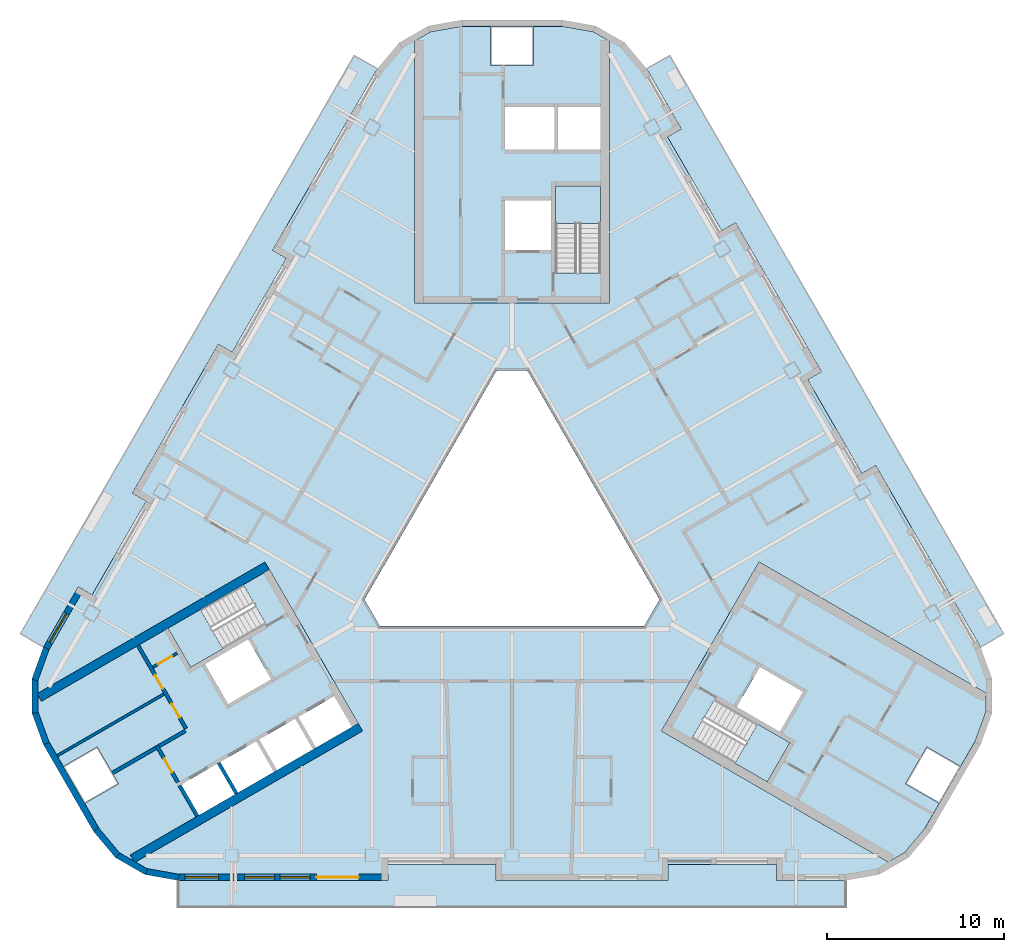
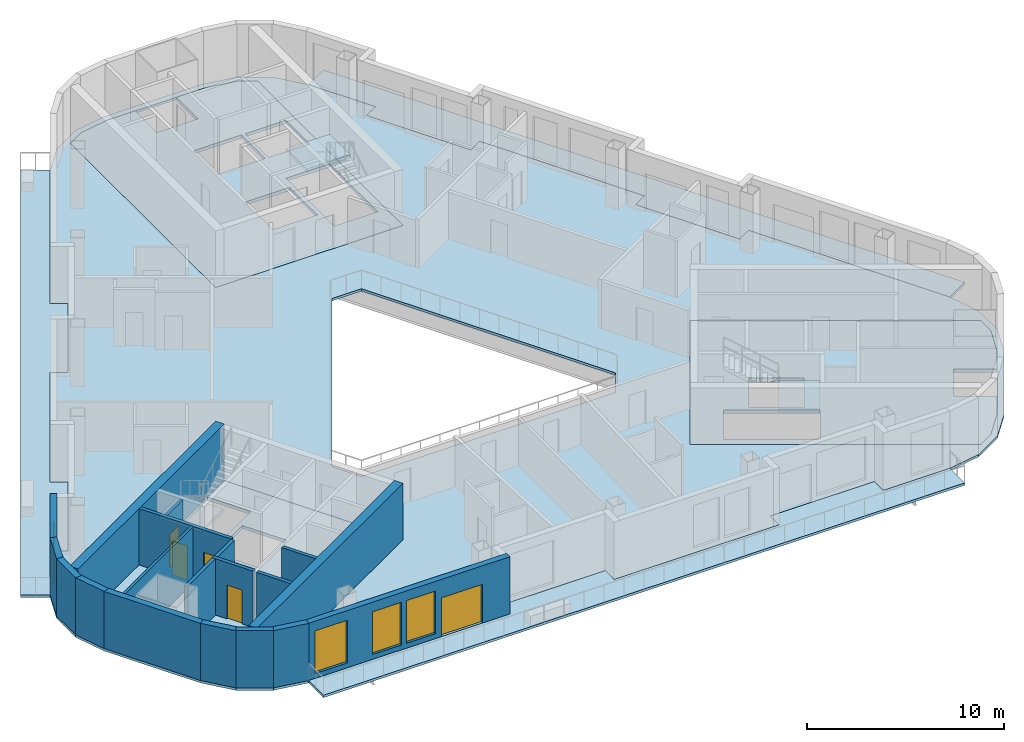
# One storey, part 2 of 13: 19 walls, 10 slabs, 5 doors, 4 windows, 9 openings, 3 elements without a shape of their own.
"""IFC4 building model written with IfcOpenShell, lengths in metres."""

from ifc_helpers import new_model, si_unit, direction, frame, frame_2d, origin, place, context, subcontext, project, spatial, polyline, rectangle, outline, extrude, material, layer, layer_set, type_object, element, fill, aggregate, save


model = new_model("IFC4")

# Units and contexts
model_context = context("Model", 3, precision=1e-05, world=origin(), true_north=direction((0.0, 1.0)))
body_context = subcontext(model_context, "Body", "Model", "MODEL_VIEW")
ifc_project = project(units=[si_unit("LENGTHUNIT", "METRE"), si_unit("AREAUNIT", "SQUARE_METRE"), si_unit("VOLUMEUNIT", "CUBIC_METRE"), si_unit("PLANEANGLEUNIT", "RADIAN"), si_unit("MASSUNIT", "GRAM", prefix="KILO")], contexts=[model_context])

# Site, building, storey
site_placement = place(None, origin())
site = spatial("IfcSite", under=ifc_project, at=site_placement, CompositionType="ELEMENT")
building_placement = place(site_placement, origin())
building = spatial("IfcBuilding", under=site, at=building_placement, Name="Apuvela Tower Hotel", CompositionType="ELEMENT")
storey_placement = place(building_placement, frame((0.0, 0.0, 187.300048828125)))
storey = spatial("IfcBuildingStorey", under=building, at=storey_placement, Name="L45", CompositionType="ELEMENT", Elevation=187.300048828125)

# Slabs
ifc_material_1 = material(Name="Concrete C50/60", Category="concrete")
ifc_layer_1 = layer(ifc_material_1, 0.199951171875)
ifc_layer_set_1 = layer_set([ifc_layer_1], Name="COR-FLOOR-200")
slab_type_1 = type_object("IfcSlabType", Name="COR-FLOOR-200", PredefinedType="FLOOR", material=ifc_layer_set_1)
slab_1_placement = place(storey_placement, frame((0.0, 0.0, -0.199951171875)))
element("IfcSlab", 1, at=slab_1_placement, inside=storey, type_object=slab_type_1, Name="Core floor N", PredefinedType="FLOOR", context=body_context, shape_type="SweptSolid", body=[
    extrude(outline(polyline([(5.5, 27.668212890625), (4.588623046875, 28.1943359375), (2.85498046875, 28.5), (1.199951171875, 28.5), (1.199951171875, 26.300048828125), (-1.199951171875, 26.300048828125), (-1.199951171875, 28.5), (-2.85498046875, 28.5), (-4.588623046875, 28.1943359375), (-5.5, 27.668212890625), (-5.5, 12.89990234375), (5.5, 12.89990234375), (5.5, 27.668212890625)]), holes=[polyline([(5.0, 14.60595703125), (2.449951171875, 14.60595703125), (2.449951171875, 19.5), (5.0, 19.5), (5.0, 14.60595703125)]), polyline([(2.199951171875, 15.89990234375), (-0.39990234375, 15.89990234375), (-0.39990234375, 18.699951171875), (2.199951171875, 18.699951171875), (2.199951171875, 15.89990234375)]), polyline([(5.0, 21.550048828125), (2.60009765625, 21.550048828125), (2.60009765625, 23.949951171875), (5.0, 23.949951171875), (5.0, 21.550048828125)]), polyline([(2.39990234375, 21.550048828125), (-0.39990234375, 21.550048828125), (-0.39990234375, 23.949951171875), (2.39990234375, 23.949951171875), (2.39990234375, 21.550048828125)])]), origin(), (0.0, 0.0, 1.0), 0.199951171875),
])
slab_2_placement = place(storey_placement, frame((0.0, 0.0, -0.199951171875)))
element("IfcSlab", 2, at=slab_2_placement, inside=storey, type_object=slab_type_1, Name="Core floor SW", PredefinedType="FLOOR", context=body_context, shape_type="SweptSolid", body=[
    extrude(outline(polyline([(-26.711181640625, -9.07080078125), (-26.711181640625, -10.123291015625), (-26.109375, -11.77734375), (-25.28173828125, -13.210693359375), (-23.37646484375, -12.11083984375), (-22.176513671875, -14.189208984375), (-24.081787109375, -15.289306640625), (-23.254150390625, -16.72265625), (-22.122802734375, -18.071044921875), (-21.211181640625, -18.59716796875), (-8.421630859375, -11.213134765625), (-13.921630859375, -1.68701171875), (-26.711181640625, -9.07080078125)]), holes=[polyline([(-10.01806640625, -9.248046875), (-9.01806640625, -10.97998046875), (-11.044677734375, -12.150146484375), (-12.044677734375, -10.418212890625), (-10.01806640625, -9.248046875)]), polyline([(-14.244384765625, -11.68798828125), (-12.2177734375, -10.51806640625), (-11.2177734375, -12.25), (-13.244384765625, -13.420166015625), (-14.244384765625, -11.68798828125)]), polyline([(-19.387451171875, -5.419921875), (-15.149169921875, -2.972900390625), (-13.874267578125, -5.18115234375), (-18.112548828125, -7.628173828125), (-19.387451171875, -5.419921875)]), polyline([(-14.869873046875, -6.044677734375), (-13.56982421875, -8.29638671875), (-15.99462890625, -9.6962890625), (-17.294677734375, -7.444580078125), (-14.869873046875, -6.044677734375)]), polyline([(-16.444091796875, -12.9580078125), (-14.41748046875, -11.7880859375), (-13.41748046875, -13.52001953125), (-15.444091796875, -14.690185546875), (-16.444091796875, -12.9580078125)]), polyline([(-18.643798828125, -14.22802734375), (-16.6171875, -13.05810546875), (-15.6171875, -14.7900390625), (-17.643798828125, -15.960205078125), (-18.643798828125, -14.22802734375)])]), origin(), (0.0, 0.0, 1.0), 0.199951171875),
])
slab_3_placement = place(storey_placement, frame((0.0, 0.0, -0.199951171875)))
element("IfcSlab", 3, at=slab_3_placement, inside=storey, type_object=slab_type_1, Name="Core floor SE", PredefinedType="FLOOR", context=body_context, shape_type="SweptSolid", body=[
    extrude(outline(polyline([(21.211181640625, -18.59716796875), (22.122802734375, -18.071044921875), (23.254150390625, -16.72265625), (24.081787109375, -15.289306640625), (22.176513671875, -14.189208984375), (23.37646484375, -12.11083984375), (25.28173828125, -13.210693359375), (26.109375, -11.77734375), (26.711181640625, -10.123291015625), (26.711181640625, -9.07080078125), (13.921630859375, -1.68701171875), (8.421630859375, -11.213134765625), (21.211181640625, -18.59716796875)]), holes=[polyline([(11.42431640625, -9.4248046875), (15.66259765625, -11.871826171875), (14.387451171875, -14.080078125), (10.149169921875, -11.633056640625), (11.42431640625, -9.4248046875)]), polyline([(13.9697265625, -7.603515625), (16.394775390625, -9.003662109375), (15.0947265625, -11.25537109375), (12.669921875, -9.855224609375), (13.9697265625, -7.603515625)])]), origin(), (0.0, 0.0, 1.0), 0.199951171875),
])

# Stair, slab
stair_type = type_object("IfcStairType", Name="COR-STAIR-22R", PredefinedType="HALF_TURN_STAIR", material=ifc_material_1)
stair_1_placement = place(storey_placement, origin())
stair_1 = element("IfcStair", 4, at=stair_1_placement, inside=storey, type_object=stair_type, Name="L45 Exit stair ST1", PredefinedType="HALF_TURN_STAIR")
ifc_layer_2 = layer(ifc_material_1, 0.199951171875)
ifc_layer_set_2 = layer_set([ifc_layer_2], Name="COR-LANDING-200")
slab_type_2 = type_object("IfcSlabType", Name="COR-LANDING-200", PredefinedType="LANDING", material=ifc_layer_set_2)
slab_4_placement = place(storey_placement, frame((0.0, 0.0, 1.64990234375)))
slab_4 = element("IfcSlab", 5, at=slab_4_placement, type_object=slab_type_2, Name="ST1 landing 1", PredefinedType="LANDING", context=body_context, shape_type="SweptSolid", body=[
    extrude(outline(polyline([(5.0, 17.39404296875), (5.0, 19.5), (2.449951171875, 19.5), (2.449951171875, 17.39404296875), (5.0, 17.39404296875)])), origin(), (0.0, 0.0, 1.0), 0.199951171875),
])
aggregate(stair_1, [slab_4])

stair_2_placement = place(storey_placement, origin())
stair_2 = element("IfcStair", 6, at=stair_2_placement, inside=storey, type_object=stair_type, Name="L45 Exit stair ST2", PredefinedType="HALF_TURN_STAIR")
slab_5_placement = place(storey_placement, frame((0.0, 0.0, 1.64990234375)))
slab_5 = element("IfcSlab", 7, at=slab_5_placement, type_object=slab_type_2, Name="ST2 landing 1", PredefinedType="LANDING", context=body_context, shape_type="SweptSolid", body=[
    extrude(outline(polyline([(-17.563720703125, -4.366943359375), (-19.387451171875, -5.419921875), (-18.112548828125, -7.628173828125), (-16.28857421875, -6.5751953125), (-17.563720703125, -4.366943359375)])), origin(), (0.0, 0.0, 1.0), 0.199951171875),
])
aggregate(stair_2, [slab_5])

stair_3_placement = place(storey_placement, origin())
stair_3 = element("IfcStair", 8, at=stair_3_placement, inside=storey, type_object=stair_type, Name="L45 Exit stair ST3", PredefinedType="HALF_TURN_STAIR")
slab_6_placement = place(storey_placement, frame((0.0, 0.0, 1.64990234375)))
slab_6 = element("IfcSlab", 9, at=slab_6_placement, type_object=slab_type_2, Name="ST3 landing 1", PredefinedType="LANDING", context=body_context, shape_type="SweptSolid", body=[
    extrude(outline(polyline([(12.563720703125, -13.027099609375), (14.387451171875, -14.080078125), (15.66259765625, -11.871826171875), (13.838623046875, -10.81884765625), (12.563720703125, -13.027099609375)])), origin(), (0.0, 0.0, 1.0), 0.199951171875),
])
aggregate(stair_3, [slab_6])

# Slabs
ifc_material_2 = material(Name="Concrete C40/50, fair-faced", Category="concrete")
ifc_layer_3 = layer(ifc_material_2, 0.14990234375)
ifc_layer_set_3 = layer_set([ifc_layer_3], Name="ENV-BALCONY-150")
slab_type_3 = type_object("IfcSlabType", Name="ENV-BALCONY-150", PredefinedType="FLOOR", material=ifc_layer_set_3)
slab_7_placement = place(storey_placement, frame((0.0, 0.0, -0.150146484375)))
element("IfcSlab", 10, at=slab_7_placement, inside=storey, type_object=slab_type_3, Name="Balcony slab S L45", PredefinedType="FLOOR", context=body_context, shape_type="SweptSolid", body=[
    extrude(outline(polyline([(18.82080078125, -21.135009765625), (-18.82080078125, -21.135009765625), (-18.82080078125, -19.625), (-7.0048828125, -19.625), (-7.0048828125, -18.72509765625), (-0.89501953125, -18.72509765625), (-0.89501953125, -19.625), (8.794921875, -19.625), (8.794921875, -18.72509765625), (14.905029296875, -18.72509765625), (14.905029296875, -19.625), (18.82080078125, -19.625), (18.82080078125, -21.135009765625)])), origin(), (0.0, 0.0, 1.0), 0.150146484375),
])
slab_8_placement = place(storey_placement, frame((0.0, 0.0, -0.150146484375)))
element("IfcSlab", 11, at=slab_8_placement, inside=storey, type_object=slab_type_3, Name="Balcony slab NE L45", PredefinedType="FLOOR", context=body_context, shape_type="SweptSolid", body=[
    extrude(outline(polyline([(17.443359375, 9.037353515625), (12.598388671875, 17.42919921875), (11.81884765625, 16.979248046875), (8.763916015625, 22.2705078125), (9.543212890625, 22.720703125), (7.585205078125, 26.11181640625), (8.89306640625, 26.86669921875), (27.7138671875, -5.731689453125), (26.40625, -6.48681640625), (20.498291015625, 3.74609375), (19.71875, 3.2958984375), (16.663818359375, 8.58740234375), (17.443359375, 9.037353515625)])), origin(), (0.0, 0.0, 1.0), 0.150146484375),
])
slab_9_placement = place(storey_placement, frame((0.0, 0.0, -0.150146484375)))
element("IfcSlab", 12, at=slab_9_placement, inside=storey, type_object=slab_type_3, Name="Balcony slab NW L45", PredefinedType="FLOOR", context=body_context, shape_type="SweptSolid", body=[
    extrude(outline(polyline([(-27.7138671875, -5.731689453125), (-8.89306640625, 26.86669921875), (-7.585205078125, 26.11181640625), (-13.4931640625, 15.87890625), (-12.7138671875, 15.428955078125), (-15.768798828125, 10.1376953125), (-16.548095703125, 10.587646484375), (-21.393310546875, 2.19580078125), (-20.61376953125, 1.745849609375), (-23.668701171875, -3.545654296875), (-24.4482421875, -3.095703125), (-26.40625, -6.48681640625), (-27.7138671875, -5.731689453125)])), origin(), (0.0, 0.0, 1.0), 0.150146484375),
])
ifc_material_3 = material(Name="Concrete C35/45", Category="concrete")
ifc_layer_4 = layer(ifc_material_3, 0.14990234375)
ifc_layer_set_4 = layer_set([ifc_layer_4], Name="STR-SLAB 150 floor Concrete C35/45")
slab_type_4 = type_object("IfcSlabType", Name="STR-SLAB 150 floor Concrete C35/45", PredefinedType="FLOOR", material=ifc_layer_set_4)
slab_10_placement = place(storey_placement, frame((0.0, 0.0, -0.150146484375)))
element("IfcSlab", 13, at=slab_10_placement, inside=storey, type_object=slab_type_4, Name="Floor slab S4 L45", PredefinedType="FLOOR", context=body_context, shape_type="SweptSolid", body=[
    extrude(outline(polyline([(-6.3642578125, 27.5732421875), (-4.710205078125, 28.5283203125), (-2.8291015625, 28.860107421875), (2.8291015625, 28.860107421875), (4.710205078125, 28.5283203125), (6.3642578125, 27.5732421875), (7.59228515625, 26.110107421875), (9.550048828125, 22.71875), (8.770751953125, 22.268798828125), (11.82080078125, 16.986083984375), (12.60009765625, 17.43603515625), (17.4501953125, 9.035400390625), (16.670654296875, 8.58544921875), (19.720703125, 3.302734375), (20.5, 3.752685546875), (26.407958984375, -6.47998046875), (27.061279296875, -8.27490234375), (27.061279296875, -10.18505859375), (26.407958984375, -11.97998046875), (23.5791015625, -16.8798828125), (22.351318359375, -18.34326171875), (20.697021484375, -19.29833984375), (18.81591796875, -19.6298828125), (14.89990234375, -19.6298828125), (14.89990234375, -18.72998046875), (8.800048828125, -18.72998046875), (8.800048828125, -19.6298828125), (-0.89990234375, -19.6298828125), (-0.89990234375, -18.72998046875), (-7.0, -18.72998046875), (-7.0, -19.6298828125), (-18.81591796875, -19.6298828125), (-20.697021484375, -19.29833984375), (-22.351318359375, -18.34326171875), (-23.5791015625, -16.8798828125), (-26.407958984375, -11.97998046875), (-27.061279296875, -10.18505859375), (-27.061279296875, -8.27490234375), (-26.407958984375, -6.47998046875), (-24.4501953125, -3.088623046875), (-23.670654296875, -3.538818359375), (-20.62060546875, 1.743896484375), (-21.400146484375, 2.194091796875), (-16.550048828125, 10.594482421875), (-15.7705078125, 10.14453125), (-12.720703125, 15.42724609375), (-13.5, 15.877197265625), (-7.59228515625, 26.110107421875), (-6.3642578125, 27.5732421875)]), holes=[polyline([(0.865966796875, 9.10009765625), (-0.865966796875, 9.10009765625), (-8.313720703125, -3.800048828125), (-7.44775390625, -5.300048828125), (7.44775390625, -5.300048828125), (8.313720703125, -3.800048828125), (0.865966796875, 9.10009765625)]), polyline([(-5.5, 12.89990234375), (-5.5, 27.668212890625), (-4.588623046875, 28.1943359375), (-2.85498046875, 28.5), (2.85498046875, 28.5), (4.588623046875, 28.1943359375), (5.5, 27.668212890625), (5.5, 12.89990234375), (-5.5, 12.89990234375)]), polyline([(-8.421630859375, -11.213134765625), (-21.211181640625, -18.59716796875), (-22.122802734375, -18.071044921875), (-23.254150390625, -16.72265625), (-26.109375, -11.77734375), (-26.711181640625, -10.123291015625), (-26.711181640625, -9.07080078125), (-13.921630859375, -1.68701171875), (-8.421630859375, -11.213134765625)]), polyline([(13.921630859375, -1.68701171875), (26.711181640625, -9.07080078125), (26.711181640625, -10.123291015625), (26.109375, -11.77734375), (23.254150390625, -16.72265625), (22.122802734375, -18.071044921875), (21.211181640625, -18.59716796875), (8.421630859375, -11.213134765625), (13.921630859375, -1.68701171875)])]), origin(), (0.0, 0.0, 1.0), 0.150146484375),
])

# Walls
ifc_layer_5 = layer(ifc_material_1, 0.5)
ifc_layer_set_5 = layer_set([ifc_layer_5], Name="COR-WALL-CORE-500")
wall_type_1 = type_object("IfcWallType", Name="COR-WALL-CORE-500", PredefinedType="SHEAR", material=ifc_layer_set_5)
for number, where, z_axis, x_axis, name in (
    (14, (-13.796630859375, -1.9033203125, 0.0), (0.0, 0.0, 1.0), (-0.866025009528, -0.500000682871, 0.0), "Core wall SW"),
    (15, (-8.546630859375, -10.99658203125, 0.0), (0.0, 0.0, 1.0), (-0.866025009528, -0.500000682871, 0.0), "Core wall SW"),
):
    element("IfcWall", number, at=place(storey_placement, frame(where, z_axis=z_axis, x_axis=x_axis)), inside=storey, type_object=wall_type_1, Name=name, PredefinedType="SHEAR", context=body_context, shape_type="SweptSolid", body=[
        extrude(rectangle(XDim=14.8369140625, YDim=0.5, at=frame_2d((7.41845703125, 0.0))), origin(), (0.0, 0.0, 1.0), 3.5),
    ])

# Wall, opening, door
ifc_material_4 = material(Name="Blockwork 150 mm plastered", Category="masonry")
ifc_layer_6 = layer(ifc_material_4, 0.14990234375)
ifc_layer_set_6 = layer_set([ifc_layer_6], Name="COR-WALL-PART-150")
wall_type_2 = type_object("IfcWallType", Name="COR-WALL-PART-150", PredefinedType="PARTITIONING", material=ifc_layer_set_6)
wall_1_placement = place(storey_placement, frame((-18.866455078125, -6.822265625, 0.0), z_axis=(0.0, 0.0, 1.0), x_axis=(-0.866028054938, -0.499995408039, 0.0)))
wall_1 = element("IfcWall", 16, at=wall_1_placement, inside=storey, type_object=wall_type_2, Name="Partition SW", PredefinedType="PARTITIONING", context=body_context, shape_type="SweptSolid", body=[
    extrude(rectangle(XDim=1.60009765625, YDim=0.14990234375, at=frame_2d((0.800048828125, 0.0))), origin(), (0.0, 0.0, 1.0), 3.5),
])
opening_1_placement = place(wall_1_placement, frame((0.35009765625, 0.0, 0.0)))
opening_1 = element("IfcOpeningElement", 17, at=opening_1_placement, cuts=wall_1, Name="Opening W-RD", PredefinedType="OPENING", context=body_context, shape_type="SweptSolid", body=[
    extrude(rectangle(XDim=0.89990234375, YDim=2.10009765625, at=frame_2d((0.449951171875, 1.050048828125))), frame((0.0, 0.0849609375, 0.0), z_axis=(0.0, -1.0, 0.0), x_axis=(1.0, 0.0, 0.0)), (0.0, 0.0, 1.0), 0.169921875),
])
ifc_material_5 = material(Name="Steel access door, powder coated", Category="steel")
door_type_1 = type_object("IfcDoorType", Name="COR-RD-900", OperationType="NOTDEFINED", PredefinedType="DOOR", material=ifc_material_5)
door_1_placement = place(opening_1_placement, frame((0.89990234375, 0.0, 0.0), z_axis=(0.0, 0.0, 1.0), x_axis=(-1.0, 0.0, 0.0)))
door_1 = element("IfcDoor", 18, at=door_1_placement, inside=storey, type_object=door_type_1, Name="Riser door W-RD", OperationType="SINGLE_SWING_RIGHT", OverallHeight=2.10009765625, OverallWidth=0.89990234375, PredefinedType="DOOR", context=body_context, shape_type="SweptSolid", body=[
    extrude(rectangle(XDim=0.89990234375, YDim=2.10009765625, at=frame_2d((0.449951171875, 1.050048828125))), frame((0.0, 0.02490234375, 0.0), z_axis=(0.0, -1.0, 0.0), x_axis=(1.0, 0.0, 0.0)), (0.0, 0.0, 1.0), 0.050048828125),
])
fill(opening_1, door_1)

# Wall
wall_2_placement = place(storey_placement, frame((-19.61279296875, -9.129638671875, 0.0), z_axis=(0.0, 0.0, 1.0), x_axis=(-0.866031734426, -0.499989034847, 0.0)))
element("IfcWall", 19, at=wall_2_placement, inside=storey, type_object=wall_type_2, Name="Partition SW", PredefinedType="PARTITIONING", context=body_context, shape_type="SweptSolid", body=[
    extrude(rectangle(XDim=6.949951171875, YDim=0.14990234375, at=frame_2d((3.47509765625, 0.0))), origin(), (0.0, 0.0, 1.0), 3.5),
])

# Wall, openings, doors
ifc_material_6 = material(Name="Blockwork 200 mm plastered", Category="masonry")
ifc_layer_7 = layer(ifc_material_6, 0.199951171875)
ifc_layer_set_7 = layer_set([ifc_layer_7], Name="COR-WALL-PART-200")
wall_type_3 = type_object("IfcWallType", Name="COR-WALL-PART-200", PredefinedType="PARTITIONING", material=ifc_layer_set_7)
wall_3_placement = place(storey_placement, frame((-21.076171875, -6.39501953125, 0.0), z_axis=(0.0, 0.0, 1.0), x_axis=(0.50001468107, -0.866016927499, 0.0)))
wall_3 = element("IfcWall", 20, at=wall_3_placement, inside=storey, type_object=wall_type_3, Name="Partition SW", PredefinedType="PARTITIONING", context=body_context, shape_type="SweptSolid", body=[
    extrude(rectangle(XDim=5.399658203125, YDim=0.199951171875, at=frame_2d((2.69970703125, 0.0))), origin(), (0.0, 0.0, 1.0), 3.5),
])
opening_2_placement = place(wall_3_placement, frame((1.91259765625, 0.0, 0.0)))
opening_2 = element("IfcOpeningElement", 21, at=opening_2_placement, cuts=wall_3, Name="Opening W-RS1", PredefinedType="OPENING", context=body_context, shape_type="SweptSolid", body=[
    extrude(rectangle(XDim=0.89990234375, YDim=2.10009765625, at=frame_2d((0.449951171875, 1.050048828125))), frame((0.0, 0.10986328125, 0.0), z_axis=(0.0, -1.0, 0.0), x_axis=(1.0, 0.0, 0.0)), (0.0, 0.0, 1.0), 0.219970703125),
])
opening_3_placement = place(wall_3_placement, frame((3.78759765625, 0.0, 0.0)))
opening_3 = element("IfcOpeningElement", 22, at=opening_3_placement, cuts=wall_3, Name="Opening W-RS2", PredefinedType="OPENING", context=body_context, shape_type="SweptSolid", body=[
    extrude(rectangle(XDim=0.89990234375, YDim=2.10009765625, at=frame_2d((0.449951171875, 1.050048828125))), frame((0.0, 0.10986328125, 0.0), z_axis=(0.0, -1.0, 0.0), x_axis=(1.0, 0.0, 0.0)), (0.0, 0.0, 1.0), 0.219970703125),
])
ifc_material_7 = material(Name="Steel fire door, powder coated", Category="steel")
door_type_2 = type_object("IfcDoorType", Name="COR-DR-900", OperationType="NOTDEFINED", PredefinedType="DOOR", material=ifc_material_7)
door_2_placement = place(opening_2_placement, frame((0.89990234375, 0.0, 0.0), z_axis=(0.0, 0.0, 1.0), x_axis=(-1.0, 0.0, 0.0)))
door_2 = element("IfcDoor", 23, at=door_2_placement, inside=storey, type_object=door_type_2, Name="Store door W-RS1", OperationType="SINGLE_SWING_LEFT", OverallHeight=2.10009765625, OverallWidth=0.89990234375, PredefinedType="DOOR", context=body_context, shape_type="SweptSolid", body=[
    extrude(rectangle(XDim=0.89990234375, YDim=2.10009765625, at=frame_2d((0.449951171875, 1.050048828125))), frame((0.0, 0.02490234375, 0.0), z_axis=(0.0, -1.0, 0.0), x_axis=(1.0, 0.0, 0.0)), (0.0, 0.0, 1.0), 0.050048828125),
])
fill(opening_2, door_2)
door_3_placement = place(opening_3_placement, frame((0.89990234375, 0.0, 0.0), z_axis=(0.0, 0.0, 1.0), x_axis=(-1.0, 0.0, 0.0)))
door_3 = element("IfcDoor", 24, at=door_3_placement, inside=storey, type_object=door_type_2, Name="Store door W-RS2", OperationType="SINGLE_SWING_LEFT", OverallHeight=2.10009765625, OverallWidth=0.89990234375, PredefinedType="DOOR", context=body_context, shape_type="SweptSolid", body=[
    extrude(rectangle(XDim=0.89990234375, YDim=2.10009765625, at=frame_2d((0.449951171875, 1.050048828125))), frame((0.0, 0.02490234375, 0.0), z_axis=(0.0, -1.0, 0.0), x_axis=(1.0, 0.0, 0.0)), (0.0, 0.0, 1.0), 0.050048828125),
])
fill(opening_3, door_3)

# Wall, opening, door
ifc_layer_8 = layer(ifc_material_1, 0.199951171875)
ifc_layer_set_8 = layer_set([ifc_layer_8], Name="COR-WALL-SHAFT-200")
wall_type_4 = type_object("IfcWallType", Name="COR-WALL-SHAFT-200", PredefinedType="SHEAR", material=ifc_layer_set_8)
wall_4_placement = place(storey_placement, frame((-20.030517578125, -12.0263671875, 0.0), z_axis=(0.0, 0.0, 1.0), x_axis=(0.500033551112, -0.866006032174, 0.0)))
wall_4 = element("IfcWall", 25, at=wall_4_placement, inside=storey, type_object=wall_type_4, Name="Shaft wall SW", PredefinedType="SHEAR", context=body_context, shape_type="SweptSolid", body=[
    extrude(rectangle(XDim=2.400146484375, YDim=0.199951171875, at=frame_2d((1.2001953125, 0.0))), origin(), (0.0, 0.0, 1.0), 3.5),
])
opening_4_placement = place(wall_4_placement, frame((0.85009765625, 0.0, 0.0)))
opening_4 = element("IfcOpeningElement", 26, at=opening_4_placement, cuts=wall_4, Name="Opening W-REP", PredefinedType="OPENING", context=body_context, shape_type="SweptSolid", body=[
    extrude(rectangle(XDim=0.89990234375, YDim=2.10009765625, at=frame_2d((0.449951171875, 1.050048828125))), frame((0.0, 0.10986328125, 0.0), z_axis=(0.0, -1.0, 0.0), x_axis=(1.0, 0.0, 0.0)), (0.0, 0.0, 1.0), 0.219970703125),
])
door_4_placement = place(opening_4_placement, frame((0.89990234375, 0.0, 0.0), z_axis=(0.0, 0.0, 1.0), x_axis=(-1.0, 0.0, 0.0)))
door_4 = element("IfcDoor", 27, at=door_4_placement, inside=storey, type_object=door_type_2, Name="Store door W-REP", OperationType="SINGLE_SWING_LEFT", OverallHeight=2.10009765625, OverallWidth=0.89990234375, PredefinedType="DOOR", context=body_context, shape_type="SweptSolid", body=[
    extrude(rectangle(XDim=0.89990234375, YDim=2.10009765625, at=frame_2d((0.449951171875, 1.050048828125))), frame((0.0, 0.02490234375, 0.0), z_axis=(0.0, -1.0, 0.0), x_axis=(1.0, 0.0, 0.0)), (0.0, 0.0, 1.0), 0.050048828125),
])
fill(opening_4, door_4)

# Walls
wall_5_placement = place(storey_placement, frame((-18.412841796875, -11.2080078125, 0.0), z_axis=(0.0, 0.0, 1.0), x_axis=(-0.866038183914, -0.499977863513, 0.0)))
element("IfcWall", 28, at=wall_5_placement, inside=storey, type_object=wall_type_4, Name="Shaft wall SW", PredefinedType="SHEAR", context=body_context, shape_type="SweptSolid", body=[
    extrude(rectangle(XDim=1.7099609375, YDim=0.199951171875, at=frame_2d((0.85498046875, 0.0))), origin(), (0.0, 0.0, 1.0), 3.5),
])
for number, where, z_axis, x_axis, name in (
    (29, (-16.530517578125, -13.008056640625, 0.0), (0.0, 0.0, 1.0), (0.50002537861, -0.866010750942, 0.0), "Shaft wall SW"),
    (30, (-18.73046875, -14.278076171875, 0.0), (0.0, 0.0, 1.0), (0.50002537861, -0.866010750942, 0.0), "Shaft wall SW"),
):
    element("IfcWall", number, at=place(storey_placement, frame(where, z_axis=z_axis, x_axis=x_axis)), inside=storey, type_object=wall_type_4, Name=name, PredefinedType="SHEAR", context=body_context, shape_type="SweptSolid", body=[
        extrude(rectangle(XDim=2.0, YDim=0.199951171875, at=frame_2d((1.0, 0.0))), origin(), (0.0, 0.0, 1.0), 3.5),
    ])
wall_6_placement = place(storey_placement, frame((-20.06689453125, -12.1630859375, 0.0), z_axis=(0.0, 0.0, 1.0), x_axis=(-0.866055327414, -0.49994816717, 0.0)))
element("IfcWall", 31, at=wall_6_placement, inside=storey, type_object=wall_type_4, Name="Shaft wall SW", PredefinedType="SHEAR", context=body_context, shape_type="SweptSolid", body=[
    extrude(rectangle(XDim=2.840087890625, YDim=0.199951171875, at=frame_2d((1.419921875, 0.0))), origin(), (0.0, 0.0, 1.0), 3.5),
])

# Wall, opening, window
ifc_material_8 = material(Name="Concrete C40/50, dark pigmented precast panel", Category="concrete")
ifc_layer_9 = layer(ifc_material_8, 0.35009765625)
ifc_layer_set_9 = layer_set([ifc_layer_9], Name="ENV-WALL-350")
wall_type_5 = type_object("IfcWallType", Name="ENV-WALL-350", PredefinedType="SOLIDWALL", material=ifc_layer_set_9)
wall_7_placement = place(storey_placement, frame((-24.298583984375, -3.17626953125, 0.0), z_axis=(0.0, 0.0, 1.0), x_axis=(-0.500028278809, -0.866009076391, 0.0)))
wall_7 = element("IfcWall", 32, at=wall_7_placement, inside=storey, type_object=wall_type_5, Name="External wall L45-09", PredefinedType="SOLIDWALL", context=body_context, shape_type="SweptSolid", body=[
    extrude(rectangle(XDim=3.915771484375, YDim=0.35009765625, at=frame_2d((1.9580078125, 0.0))), origin(), (0.0, 0.0, 1.0), 3.550048828125),
])
opening_5_placement = place(wall_7_placement, frame((1.625, 0.0, 0.300048828125)))
opening_5 = element("IfcOpeningElement", 33, at=opening_5_placement, cuts=wall_7, Name="Opening WN19", PredefinedType="OPENING", context=body_context, shape_type="SweptSolid", body=[
    extrude(rectangle(XDim=1.89990234375, YDim=2.64990234375, at=frame_2d((0.949951171875, 1.324951171875))), frame((0.0, 0.18505859375, 0.0), z_axis=(0.0, -1.0, 0.0), x_axis=(1.0, 0.0, 0.0)), (0.0, 0.0, 1.0), 0.3701171875),
])
ifc_material_9 = material(Name="Glass, dark tinted laminated insulated glazing unit", Category="glass")
window_type_1 = type_object("IfcWindowType", Name="ENV-WIN-1900x2650", PartitioningType="SINGLE_PANEL", PredefinedType="WINDOW", material=ifc_material_9)
window_1_placement = place(opening_5_placement, origin())
window_1 = element("IfcWindow", 34, at=window_1_placement, inside=storey, type_object=window_type_1, Name="Window WN19", OverallHeight=2.64990234375, OverallWidth=1.89990234375, PartitioningType="SINGLE_PANEL", PredefinedType="WINDOW", context=body_context, shape_type="SweptSolid", body=[
    extrude(rectangle(XDim=1.89990234375, YDim=2.64990234375, at=frame_2d((0.949951171875, 1.324951171875))), frame((0.0, 0.030029296875, 0.0), z_axis=(0.0, -1.0, 0.0), x_axis=(1.0, 0.0, 0.0)), (0.0, 0.0, 1.0), 0.06005859375),
])
fill(opening_5, window_1)

# Walls
for number, where, z_axis, x_axis, name in (
    (35, (-26.24365234375, -6.539794921875, 0.0), (0.0, 0.0, 1.0), (-0.342030395486, -0.939688889242, 0.0), "External wall L45-10"),
    (36, (-26.88623046875, -8.27490234375, 0.0), (0.0, 0.0, 1.0), (0.0, -1.0, 0.0), "External wall L45-11"),
    (37, (-26.89697265625, -10.125244140625, 0.0), (0.0, 0.0, 1.0), (0.342030395486, -0.939688889242, 0.0), "External wall L45-12"),
):
    element("IfcWall", number, at=place(storey_placement, frame(where, z_axis=z_axis, x_axis=x_axis)), inside=storey, type_object=wall_type_5, Name=name, PredefinedType="SOLIDWALL", context=body_context, shape_type="SweptSolid", body=[
        extrude(rectangle(XDim=1.91015625, YDim=0.35009765625, at=frame_2d((0.955078125, 0.0))), origin(), (0.0, 0.0, 1.0), 3.550048828125),
    ])
wall_8_placement = place(storey_placement, frame((-26.256591796875, -11.892578125, 0.0), z_axis=(0.0, 0.0, 1.0), x_axis=(0.500018773155, -0.866014564827, 0.0)))
element("IfcWall", 38, at=wall_8_placement, inside=storey, type_object=wall_type_5, Name="External wall L45-13", PredefinedType="SOLIDWALL", context=body_context, shape_type="SweptSolid", body=[
    extrude(rectangle(XDim=5.657958984375, YDim=0.35009765625, at=frame_2d((2.8291015625, 0.0))), origin(), (0.0, 0.0, 1.0), 3.550048828125),
])
for number, where, z_axis, x_axis, name in (
    (39, (-23.44482421875, -16.767578125, 0.0), (0.0, 0.0, 1.0), (0.642733291068, -0.76609001857, 0.0), "External wall L45-14"),
    (40, (-22.263671875, -18.191650390625, 0.0), (0.0, 0.0, 1.0), (0.866000389056, -0.500043324278, 0.0), "External wall L45-15"),
):
    element("IfcWall", number, at=place(storey_placement, frame(where, z_axis=z_axis, x_axis=x_axis)), inside=storey, type_object=wall_type_5, Name=name, PredefinedType="SOLIDWALL", context=body_context, shape_type="SweptSolid", body=[
        extrude(rectangle(XDim=1.909912109375, YDim=0.35009765625, at=frame_2d((0.955078125, 0.0))), origin(), (0.0, 0.0, 1.0), 3.550048828125),
    ])
wall_9_placement = place(storey_placement, frame((-20.66650390625, -19.1259765625, 0.0), z_axis=(0.0, 0.0, 1.0), x_axis=(0.984798995425, -0.173697837091, 0.0)))
element("IfcWall", 41, at=wall_9_placement, inside=storey, type_object=wall_type_5, Name="External wall L45-16", PredefinedType="SOLIDWALL", context=body_context, shape_type="SweptSolid", body=[
    extrude(rectangle(XDim=1.91015625, YDim=0.35009765625, at=frame_2d((0.955078125, 0.0))), origin(), (0.0, 0.0, 1.0), 3.550048828125),
])

# Wall, openings, door, windows
wall_10_placement = place(storey_placement, frame((-18.81591796875, -19.455078125, 0.0), z_axis=(0.0, 0.0, 1.0), x_axis=(1.0, 0.0, 0.0)))
wall_10 = element("IfcWall", 42, at=wall_10_placement, inside=storey, type_object=wall_type_5, Name="External wall L45-17", PredefinedType="SOLIDWALL", context=body_context, shape_type="SweptSolid", body=[
    extrude(rectangle(XDim=11.81591796875, YDim=0.35009765625, at=frame_2d((5.907958984375, 0.0))), origin(), (0.0, 0.0, 1.0), 3.550048828125),
])
opening_6_placement = place(wall_10_placement, frame((0.380615234375, 0.0, 0.300048828125)))
opening_6 = element("IfcOpeningElement", 43, at=opening_6_placement, cuts=wall_10, Name="Opening WN19", PredefinedType="OPENING", context=body_context, shape_type="SweptSolid", body=[
    extrude(rectangle(XDim=1.89990234375, YDim=2.64990234375, at=frame_2d((0.949951171875, 1.324951171875))), frame((0.0, 0.18505859375, 0.0), z_axis=(0.0, -1.0, 0.0), x_axis=(1.0, 0.0, 0.0)), (0.0, 0.0, 1.0), 0.3701171875),
])
opening_7_placement = place(wall_10_placement, frame((7.790283203125, 0.0, 0.0)))
opening_7 = element("IfcOpeningElement", 44, at=opening_7_placement, cuts=wall_10, Name="Opening BD24", PredefinedType="OPENING", context=body_context, shape_type="SweptSolid", body=[
    extrude(rectangle(XDim=2.39990234375, YDim=2.39990234375, at=frame_2d((1.199951171875, 1.199951171875))), frame((0.0, 0.18505859375, 0.0), z_axis=(0.0, -1.0, 0.0), x_axis=(1.0, 0.0, 0.0)), (0.0, 0.0, 1.0), 0.3701171875),
])
opening_8_placement = place(wall_10_placement, frame((3.740966796875, 0.0, 0.300048828125)))
opening_8 = element("IfcOpeningElement", 45, at=opening_8_placement, cuts=wall_10, Name="Opening WN17", PredefinedType="OPENING", context=body_context, shape_type="SweptSolid", body=[
    extrude(rectangle(XDim=1.699951171875, YDim=2.64990234375, at=frame_2d((0.85009765625, 1.324951171875))), frame((0.0, 0.18505859375, 0.0), z_axis=(0.0, -1.0, 0.0), x_axis=(1.0, 0.0, 0.0)), (0.0, 0.0, 1.0), 0.3701171875),
])
opening_9_placement = place(wall_10_placement, frame((5.740966796875, 0.0, 0.300048828125)))
opening_9 = element("IfcOpeningElement", 46, at=opening_9_placement, cuts=wall_10, Name="Opening WN17", PredefinedType="OPENING", context=body_context, shape_type="SweptSolid", body=[
    extrude(rectangle(XDim=1.699951171875, YDim=2.64990234375, at=frame_2d((0.85009765625, 1.324951171875))), frame((0.0, 0.18505859375, 0.0), z_axis=(0.0, -1.0, 0.0), x_axis=(1.0, 0.0, 0.0)), (0.0, 0.0, 1.0), 0.3701171875),
])
ifc_material_10 = material(Name="Aluminium 6063-T6, dark bronze anodised frame with dark tinted laminated glass", Category="aluminium")
door_type_3 = type_object("IfcDoorType", Name="ENV-DOOR-BALCONY-2400x2400", OperationType="SLIDING_TO_LEFT", PredefinedType="DOOR", material=ifc_material_10)
door_5_placement = place(opening_7_placement, frame((2.39990234375, 0.0, 0.0), z_axis=(0.0, 0.0, 1.0), x_axis=(-1.0, 0.0, 0.0)))
door_5 = element("IfcDoor", 47, at=door_5_placement, inside=storey, type_object=door_type_3, Name="Balcony door BD24", OperationType="SLIDING_TO_LEFT", OverallHeight=2.39990234375, OverallWidth=2.39990234375, PredefinedType="DOOR", context=body_context, shape_type="SweptSolid", body=[
    extrude(rectangle(XDim=2.39990234375, YDim=2.39990234375, at=frame_2d((1.199951171875, 1.199951171875))), frame((0.0, 0.02490234375, 0.0), z_axis=(0.0, -1.0, 0.0), x_axis=(1.0, 0.0, 0.0)), (0.0, 0.0, 1.0), 0.050048828125),
])
fill(opening_7, door_5)
window_type_2 = type_object("IfcWindowType", Name="ENV-WIN-1700x2650", PartitioningType="SINGLE_PANEL", PredefinedType="WINDOW", material=ifc_material_9)
window_2_placement = place(opening_8_placement, origin())
window_2 = element("IfcWindow", 48, at=window_2_placement, inside=storey, type_object=window_type_2, Name="Window WN17", OverallHeight=2.64990234375, OverallWidth=1.699951171875, PartitioningType="SINGLE_PANEL", PredefinedType="WINDOW", context=body_context, shape_type="SweptSolid", body=[
    extrude(rectangle(XDim=1.699951171875, YDim=2.64990234375, at=frame_2d((0.85009765625, 1.324951171875))), frame((0.0, 0.030029296875, 0.0), z_axis=(0.0, -1.0, 0.0), x_axis=(1.0, 0.0, 0.0)), (0.0, 0.0, 1.0), 0.06005859375),
])
fill(opening_8, window_2)
window_3_placement = place(opening_9_placement, origin())
window_3 = element("IfcWindow", 49, at=window_3_placement, inside=storey, type_object=window_type_2, Name="Window WN17", OverallHeight=2.64990234375, OverallWidth=1.699951171875, PartitioningType="SINGLE_PANEL", PredefinedType="WINDOW", context=body_context, shape_type="SweptSolid", body=[
    extrude(rectangle(XDim=1.699951171875, YDim=2.64990234375, at=frame_2d((0.85009765625, 1.324951171875))), frame((0.0, 0.030029296875, 0.0), z_axis=(0.0, -1.0, 0.0), x_axis=(1.0, 0.0, 0.0)), (0.0, 0.0, 1.0), 0.06005859375),
])
fill(opening_9, window_3)
window_4_placement = place(opening_6_placement, origin())
window_4 = element("IfcWindow", 50, at=window_4_placement, inside=storey, type_object=window_type_1, Name="Window WN19", OverallHeight=2.64990234375, OverallWidth=1.89990234375, PartitioningType="SINGLE_PANEL", PredefinedType="WINDOW", context=body_context, shape_type="SweptSolid", body=[
    extrude(rectangle(XDim=1.89990234375, YDim=2.64990234375, at=frame_2d((0.949951171875, 1.324951171875))), frame((0.0, 0.030029296875, 0.0), z_axis=(0.0, -1.0, 0.0), x_axis=(1.0, 0.0, 0.0)), (0.0, 0.0, 1.0), 0.06005859375),
])
fill(opening_6, window_4)

save(model, "model.ifc")
